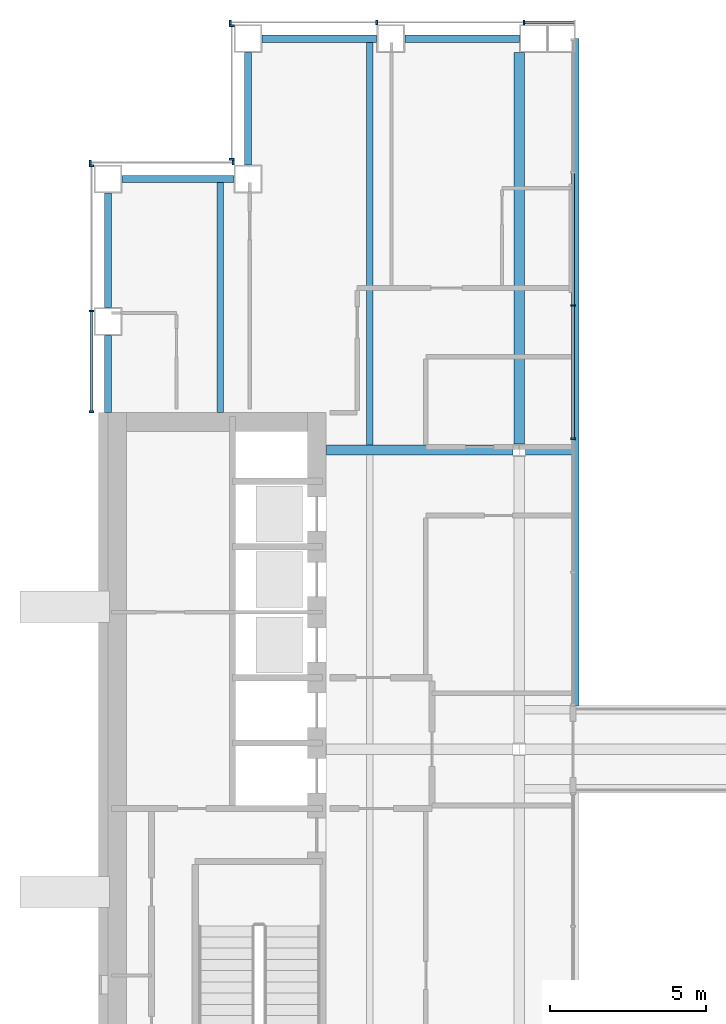
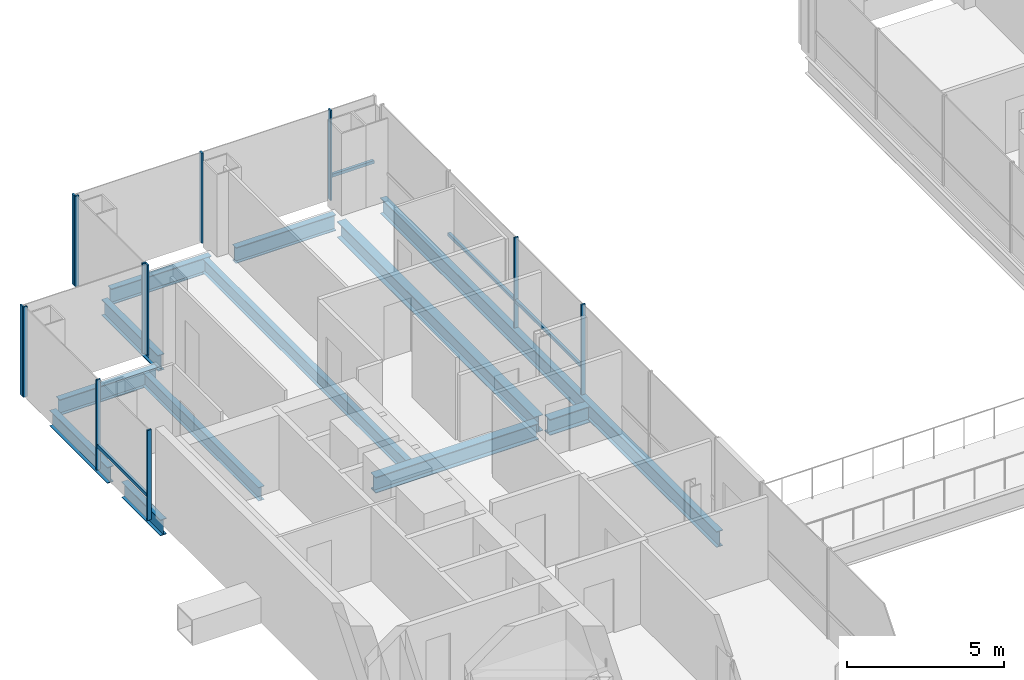
# One storey, part 7 of 17: 16 members, 12 beams, 5 elements without a shape of their own.
"""IFC4 building model written with IfcOpenShell, lengths in metres."""

from ifc_helpers import new_model, si_unit, direction, frame, origin, origin_2d, place, context, subcontext, project, spatial, rectangle, i_section, extrude, material, material_profile, profile_set, type_object, element, aggregate, save


model = new_model("IFC4")

# Units and contexts
model_context = context("Model", 3, precision=1e-05, world=origin(), true_north=direction((0.0, 1.0)))
body_context = subcontext(model_context, "Body", "Model", "MODEL_VIEW")
ifc_project = project(units=[si_unit("LENGTHUNIT", "METRE"), si_unit("AREAUNIT", "SQUARE_METRE"), si_unit("VOLUMEUNIT", "CUBIC_METRE"), si_unit("PLANEANGLEUNIT", "RADIAN"), si_unit("MASSUNIT", "GRAM", prefix="KILO")], contexts=[model_context])

# Site, building, storey
site_placement = place(None, origin())
site = spatial("IfcSite", under=ifc_project, at=site_placement, CompositionType="ELEMENT")
building_placement = place(site_placement, origin())
building = spatial("IfcBuilding", under=site, at=building_placement, Name="Cobrizo Arcos Hotel Tower", CompositionType="ELEMENT")
storey_placement = place(building_placement, frame((0.0, 0.0, 134.5)))
storey = spatial("IfcBuildingStorey", under=building, at=storey_placement, Name="L34", CompositionType="ELEMENT", Elevation=134.5)

# Curtain wall, members
ifc_material_1 = material(Name="Aluminium 6063-T6 anodised bronze", Category="aluminium")
curtain_wall_type_1 = type_object("IfcCurtainWallType", Name="CW-A guest facade", PredefinedType="NOTDEFINED", material=ifc_material_1)
curtain_wall_1_placement = place(storey_placement, origin())
curtain_wall_1 = element("IfcCurtainWall", 1, at=curtain_wall_1_placement, inside=storey, type_object=curtain_wall_type_1, Name="CW-A L34 N face", PredefinedType="NOTDEFINED")
ifc_material_profile_1 = material_profile(ifc_material_1, rectangle(XDim=0.14990234375, YDim=0.06005859375, at=origin_2d()), Name="CW-A mullion 150x60")
ifc_profile_set_1 = profile_set([ifc_material_profile_1], Name="Aluminium 6063-T6 anodised bronze")
member_type_1 = type_object("IfcMemberType", Name="CW-A mullion 150x60", PredefinedType="MULLION", material=ifc_profile_set_1)
member_1_placement = place(storey_placement, frame((-9.449951171875, 23.324951171875, 0.0), z_axis=(0.0, 0.0, 1.0), x_axis=(0.0, 1.0, 0.0)))
member_1 = element("IfcMember", 2, at=member_1_placement, type_object=member_type_1, Name="CW-A mullion 2", PredefinedType="MULLION", context=body_context, shape_type="SweptSolid", body=[
    extrude(rectangle(XDim=0.14990234375, YDim=0.06005859375, at=origin_2d()), origin(), (0.0, 0.0, 1.0), 3.5),
])
member_2_placement = place(storey_placement, frame((-14.175048828125, 23.324951171875, 0.0), z_axis=(0.0, 0.0, 1.0), x_axis=(0.0, 1.0, 0.0)))
member_2 = element("IfcMember", 3, at=member_2_placement, type_object=member_type_1, Name="CW-A mullion 3", PredefinedType="MULLION", context=body_context, shape_type="SweptSolid", body=[
    extrude(rectangle(XDim=0.14990234375, YDim=0.06005859375, at=origin_2d()), origin(), (0.0, 0.0, 1.0), 3.5),
])
member_3_placement = place(storey_placement, frame((-18.8701171875, 23.324951171875, 0.0), z_axis=(0.0, 0.0, 1.0), x_axis=(0.0, 1.0, 0.0)))
member_3 = element("IfcMember", 4, at=member_3_placement, type_object=member_type_1, Name="CW-A mullion 4", PredefinedType="MULLION", context=body_context, shape_type="SweptSolid", body=[
    extrude(rectangle(XDim=0.14990234375, YDim=0.06005859375, at=origin_2d()), origin(), (0.0, 0.0, 1.0), 3.5),
])

curtain_wall_2_placement = place(storey_placement, origin())
curtain_wall_2 = element("IfcCurtainWall", 5, at=curtain_wall_2_placement, inside=storey, type_object=curtain_wall_type_1, Name="CW-A L34 W face", PredefinedType="NOTDEFINED")
member_4_placement = place(storey_placement, frame((-18.824951171875, 23.219970703125, 0.0), z_axis=(0.0, 0.0, 1.0), x_axis=(-1.0, 0.0, 0.0)))
member_4 = element("IfcMember", 6, at=member_4_placement, type_object=member_type_1, Name="CW-A mullion 1", PredefinedType="MULLION", context=body_context, shape_type="SweptSolid", body=[
    extrude(rectangle(XDim=0.14990234375, YDim=0.06005859375, at=origin_2d()), origin(), (0.0, 0.0, 1.0), 3.5),
])
member_5_placement = place(storey_placement, frame((-18.824951171875, 18.929931640625, 0.0), z_axis=(0.0, 0.0, 1.0), x_axis=(-1.0, 0.0, 0.0)))
member_5 = element("IfcMember", 7, at=member_5_placement, type_object=member_type_1, Name="CW-A mullion 2", PredefinedType="MULLION", context=body_context, shape_type="SweptSolid", body=[
    extrude(rectangle(XDim=0.14990234375, YDim=0.06005859375, at=origin_2d()), origin(), (0.0, 0.0, 1.0), 3.5),
])
aggregate(curtain_wall_2, [member_4, member_5])

curtain_wall_3_placement = place(storey_placement, origin())
curtain_wall_3 = element("IfcCurtainWall", 8, at=curtain_wall_3_placement, inside=storey, type_object=curtain_wall_type_1, Name="CW-A L34 N face", PredefinedType="NOTDEFINED")
member_6_placement = place(storey_placement, frame((-18.780029296875, 18.824951171875, 0.0), z_axis=(0.0, 0.0, 1.0), x_axis=(0.0, 1.0, 0.0)))
member_6 = element("IfcMember", 9, at=member_6_placement, type_object=member_type_1, Name="CW-A mullion 1", PredefinedType="MULLION", context=body_context, shape_type="SweptSolid", body=[
    extrude(rectangle(XDim=0.14990234375, YDim=0.06005859375, at=origin_2d()), origin(), (0.0, 0.0, 1.0), 3.5),
])
member_7_placement = place(storey_placement, frame((-23.3701171875, 18.824951171875, 0.0), z_axis=(0.0, 0.0, 1.0), x_axis=(0.0, 1.0, 0.0)))
member_7 = element("IfcMember", 10, at=member_7_placement, type_object=member_type_1, Name="CW-A mullion 2", PredefinedType="MULLION", context=body_context, shape_type="SweptSolid", body=[
    extrude(rectangle(XDim=0.14990234375, YDim=0.06005859375, at=origin_2d()), origin(), (0.0, 0.0, 1.0), 3.5),
])
aggregate(curtain_wall_3, [member_6, member_7])

curtain_wall_4_placement = place(storey_placement, origin())
curtain_wall_4 = element("IfcCurtainWall", 11, at=curtain_wall_4_placement, inside=storey, type_object=curtain_wall_type_1, Name="CW-A L34 W face", PredefinedType="NOTDEFINED")
member_8_placement = place(storey_placement, frame((-23.324951171875, 18.719970703125, 0.0), z_axis=(0.0, 0.0, 1.0), x_axis=(-1.0, 0.0, 0.0)))
member_8 = element("IfcMember", 12, at=member_8_placement, type_object=member_type_1, Name="CW-A mullion 1", PredefinedType="MULLION", context=body_context, shape_type="SweptSolid", body=[
    extrude(rectangle(XDim=0.14990234375, YDim=0.06005859375, at=origin_2d()), origin(), (0.0, 0.0, 1.0), 3.5),
])
member_9_placement = place(storey_placement, frame((-23.324951171875, 14.0625, 0.0), z_axis=(0.0, 0.0, 1.0), x_axis=(-1.0, 0.0, 0.0)))
member_9 = element("IfcMember", 13, at=member_9_placement, type_object=member_type_1, Name="CW-A mullion 2", PredefinedType="MULLION", context=body_context, shape_type="SweptSolid", body=[
    extrude(rectangle(XDim=0.14990234375, YDim=0.06005859375, at=origin_2d()), origin(), (0.0, 0.0, 1.0), 3.5),
])
member_10_placement = place(storey_placement, frame((-23.324951171875, 10.830078125, 0.0), z_axis=(0.0, 0.0, 1.0), x_axis=(-1.0, 0.0, 0.0)))
member_10 = element("IfcMember", 14, at=member_10_placement, type_object=member_type_1, Name="CW-A mullion 3", PredefinedType="MULLION", context=body_context, shape_type="SweptSolid", body=[
    extrude(rectangle(XDim=0.14990234375, YDim=0.06005859375, at=origin_2d()), origin(), (0.0, 0.0, 1.0), 3.5),
])

# Member
ifc_material_profile_2 = material_profile(ifc_material_1, rectangle(XDim=0.10009765625, YDim=0.1201171875, at=origin_2d()), Name="CW-A transom 120x100")
ifc_profile_set_2 = profile_set([ifc_material_profile_2], Name="Aluminium 6063-T6 anodised bronze")
member_type_2 = type_object("IfcMemberType", Name="CW-A transom 120x100", PredefinedType="USERDEFINED", material=ifc_profile_set_2)
member_11_placement = place(storey_placement, frame((-7.860107421875, 23.324951171875, 0.929931640625), z_axis=(-1.0, 0.0, 0.0), x_axis=(0.0, -1.0, 0.0)))
member_11 = element("IfcMember", 15, at=member_11_placement, type_object=member_type_2, Name="CW-A transom 1264", ObjectType="TRANSOM", PredefinedType="USERDEFINED", context=body_context, shape_type="SweptSolid", body=[
    extrude(rectangle(XDim=0.10009765625, YDim=0.1201171875, at=origin_2d()), origin(), (0.0, 0.0, 1.0), 1.559814453125),
])

aggregate(curtain_wall_1, [member_1, member_2, member_3, member_11])

member_12_placement = place(storey_placement, frame((-23.324951171875, 14.032470703125, 0.929931640625), z_axis=(0.0, -1.0, 0.0), x_axis=(1.0, 0.0, 0.0)))
member_12 = element("IfcMember", 16, at=member_12_placement, type_object=member_type_2, Name="CW-A transom 1270", ObjectType="TRANSOM", PredefinedType="USERDEFINED", context=body_context, shape_type="SweptSolid", body=[
    extrude(rectangle(XDim=0.10009765625, YDim=0.1201171875, at=origin_2d()), origin(), (0.0, 0.0, 1.0), 3.17236328125),
])

aggregate(curtain_wall_4, [member_8, member_9, member_10, member_12])

# Curtain wall, members
curtain_wall_type_2 = type_object("IfcCurtainWallType", Name="CW-F void screen", PredefinedType="NOTDEFINED", material=ifc_material_1)
curtain_wall_5_placement = place(storey_placement, origin())
curtain_wall_5 = element("IfcCurtainWall", 17, at=curtain_wall_5_placement, inside=storey, type_object=curtain_wall_type_2, Name="CW-F L34 void screen B", PredefinedType="NOTDEFINED")
ifc_material_profile_3 = material_profile(ifc_material_1, rectangle(XDim=0.14990234375, YDim=0.06005859375, at=origin_2d()), Name="CW-F mullion 150x60")
ifc_profile_set_3 = profile_set([ifc_material_profile_3], Name="Aluminium 6063-T6 anodised bronze")
member_type_3 = type_object("IfcMemberType", Name="CW-F mullion 150x60", PredefinedType="MULLION", material=ifc_profile_set_3)
member_13_placement = place(storey_placement, frame((-7.875, 14.239990234375, 0.0), z_axis=(0.0, 0.0, 1.0), x_axis=(-1.0, 0.0, 0.0)))
member_13 = element("IfcMember", 18, at=member_13_placement, type_object=member_type_3, Name="CW-F mullion 3", PredefinedType="MULLION", context=body_context, shape_type="SweptSolid", body=[
    extrude(rectangle(XDim=0.14990234375, YDim=0.06005859375, at=origin_2d()), origin(), (0.0, 0.0, 1.0), 3.5),
])
member_14_placement = place(storey_placement, frame((-7.875, 9.9599609375, 0.0), z_axis=(0.0, 0.0, 1.0), x_axis=(-1.0, 0.0, 0.0)))
member_14 = element("IfcMember", 19, at=member_14_placement, type_object=member_type_3, Name="CW-F mullion 4", PredefinedType="MULLION", context=body_context, shape_type="SweptSolid", body=[
    extrude(rectangle(XDim=0.14990234375, YDim=0.06005859375, at=origin_2d()), origin(), (0.0, 0.0, 1.0), 3.5),
])
ifc_material_profile_4 = material_profile(ifc_material_1, rectangle(XDim=0.10009765625, YDim=0.1201171875, at=origin_2d()), Name="CW-F transom 120x100")
ifc_profile_set_4 = profile_set([ifc_material_profile_4], Name="Aluminium 6063-T6 anodised bronze")
member_type_4 = type_object("IfcMemberType", Name="CW-F transom 120x100", PredefinedType="USERDEFINED", material=ifc_profile_set_4)
member_15_placement = place(storey_placement, frame((-7.875, 18.489990234375, 1.050048828125), z_axis=(0.0, -1.0, 0.0), x_axis=(1.0, 0.0, 0.0)))
member_15 = element("IfcMember", 20, at=member_15_placement, type_object=member_type_4, Name="CW-F transom 2677", ObjectType="TRANSOM", PredefinedType="USERDEFINED", context=body_context, shape_type="SweptSolid", body=[
    extrude(rectangle(XDim=0.10009765625, YDim=0.1201171875, at=origin_2d()), origin(), (0.0, 0.0, 1.0), 4.219970703125),
])
member_16_placement = place(storey_placement, frame((-7.875, 14.2099609375, 1.050048828125), z_axis=(0.0, -1.0, 0.0), x_axis=(1.0, 0.0, 0.0)))
member_16 = element("IfcMember", 21, at=member_16_placement, type_object=member_type_4, Name="CW-F transom 2678", ObjectType="TRANSOM", PredefinedType="USERDEFINED", context=body_context, shape_type="SweptSolid", body=[
    extrude(rectangle(XDim=0.10009765625, YDim=0.1201171875, at=origin_2d()), origin(), (0.0, 0.0, 1.0), 4.219970703125),
])
aggregate(curtain_wall_5, [member_13, member_14, member_15, member_16])

# Beams
ifc_material_2 = material(Name="Steel ASTM A992 Grade 50", Category="steel")
ifc_material_profile_5 = material_profile(ifc_material_2, i_section(OverallWidth=0.209228515625, OverallDepth=0.533447265625, WebThickness=0.01025390625, FlangeThickness=0.015625, at=origin_2d()), Name="W21X62")
ifc_profile_set_5 = profile_set([ifc_material_profile_5], Name="Steel ASTM A992 Grade 50")
beam_type_1 = type_object("IfcBeamType", Name="W21X62 joist", PredefinedType="JOIST", material=ifc_profile_set_5)
beam_1_placement = place(storey_placement, frame((-19.199951171875, 10.81005859375, -0.416748046875), z_axis=(0.0, 1.0, 0.0), x_axis=(-1.0, 0.0, 0.0)))
element("IfcBeam", 22, at=beam_1_placement, inside=storey, type_object=beam_type_1, Name="Floor joist J1, L34, no. 002", PredefinedType="JOIST", context=body_context, shape_type="SweptSolid", body=[
    extrude(i_section(OverallWidth=0.209228515625, OverallDepth=0.533447265625, WebThickness=0.01025390625, FlangeThickness=0.015625, at=origin_2d()), origin(), (0.0, 0.0, 1.0), 7.39990234375),
])
beam_2_placement = place(storey_placement, frame((-14.39990234375, 9.763916015625, -0.416748046875), z_axis=(0.0, 1.0, 0.0), x_axis=(-1.0, 0.0, 0.0)))
element("IfcBeam", 23, at=beam_2_placement, inside=storey, type_object=beam_type_1, Name="Floor joist J1, L34, no. 006", PredefinedType="JOIST", context=body_context, shape_type="SweptSolid", body=[
    extrude(i_section(OverallWidth=0.209228515625, OverallDepth=0.533447265625, WebThickness=0.01025390625, FlangeThickness=0.015625, at=origin_2d()), origin(), (0.0, 0.0, 1.0), 12.946044921875),
])
ifc_material_profile_6 = material_profile(ifc_material_2, i_section(OverallWidth=0.32763671875, OverallDepth=0.622314453125, WebThickness=0.015380859375, FlangeThickness=0.0244140625, at=origin_2d()), Name="W24X131")
ifc_profile_set_6 = profile_set([ifc_material_profile_6], Name="Steel ASTM A992 Grade 50")
beam_type_2 = type_object("IfcBeamType", Name="W24X131 girder", PredefinedType="BEAM", material=ifc_profile_set_6)
beam_3_placement = place(storey_placement, frame((-15.7900390625, 9.60009765625, -0.461181640625), z_axis=(1.0, 0.0, 0.0), x_axis=(0.0, 1.0, 0.0)))
element("IfcBeam", 24, at=beam_3_placement, inside=storey, type_object=beam_type_2, Name="Floor girder G1, L34, no. 008", PredefinedType="BEAM", context=body_context, shape_type="SweptSolid", body=[
    extrude(i_section(OverallWidth=0.32763671875, OverallDepth=0.622314453125, WebThickness=0.015380859375, FlangeThickness=0.0244140625, at=origin_2d()), origin(), (0.0, 0.0, 1.0), 5.99072265625),
])
beam_4_placement = place(storey_placement, frame((-9.400634765625, 9.60009765625, -0.461181640625), z_axis=(1.0, 0.0, 0.0), x_axis=(0.0, 1.0, 0.0)))
element("IfcBeam", 25, at=beam_4_placement, inside=storey, type_object=beam_type_2, Name="Floor girder G1, L34, no. 009", PredefinedType="BEAM", context=body_context, shape_type="SweptSolid", body=[
    extrude(i_section(OverallWidth=0.32763671875, OverallDepth=0.622314453125, WebThickness=0.015380859375, FlangeThickness=0.0244140625, at=origin_2d()), origin(), (0.0, 0.0, 1.0), 1.5107421875),
])
beam_5_placement = place(storey_placement, frame((-9.60009765625, 9.79931640625, -0.461181640625), z_axis=(0.0, 1.0, 0.0), x_axis=(-1.0, 0.0, 0.0)))
element("IfcBeam", 26, at=beam_5_placement, inside=storey, type_object=beam_type_2, Name="Floor girder G1, L34, no. 015", PredefinedType="BEAM", context=body_context, shape_type="SweptSolid", body=[
    extrude(i_section(OverallWidth=0.32763671875, OverallDepth=0.622314453125, WebThickness=0.015380859375, FlangeThickness=0.0244140625, at=origin_2d()), origin(), (0.0, 0.0, 1.0), 12.55078125),
])
ifc_material_profile_7 = material_profile(ifc_material_2, i_section(OverallWidth=0.23046875, OverallDepth=0.6171875, WebThickness=0.01318359375, FlangeThickness=0.022216796875, at=origin_2d()), Name="W24X94")
ifc_profile_set_7 = profile_set([ifc_material_profile_7], Name="Steel ASTM A992 Grade 50")
beam_type_3 = type_object("IfcBeamType", Name="W24X94 spandrel", PredefinedType="SPANDREL", material=ifc_profile_set_7)
beam_6_placement = place(storey_placement, frame((-22.800048828125, 10.81005859375, -0.45849609375), z_axis=(0.0, 1.0, 0.0), x_axis=(-1.0, 0.0, 0.0)))
element("IfcBeam", 27, at=beam_6_placement, inside=storey, type_object=beam_type_3, Name="Spandrel beam W24X94, L34, no. 018", PredefinedType="SPANDREL", context=body_context, shape_type="SweptSolid", body=[
    extrude(i_section(OverallWidth=0.23046875, OverallDepth=0.6171875, WebThickness=0.01318359375, FlangeThickness=0.022216796875, at=origin_2d()), origin(), (0.0, 0.0, 1.0), 2.46484375),
])
beam_7_placement = place(storey_placement, frame((-22.800048828125, 14.175048828125, -0.45849609375), z_axis=(0.0, 1.0, 0.0), x_axis=(-1.0, 0.0, 0.0)))
element("IfcBeam", 28, at=beam_7_placement, inside=storey, type_object=beam_type_3, Name="Spandrel beam W24X94, L34, no. 019", PredefinedType="SPANDREL", context=body_context, shape_type="SweptSolid", body=[
    extrude(i_section(OverallWidth=0.23046875, OverallDepth=0.6171875, WebThickness=0.01318359375, FlangeThickness=0.022216796875, at=origin_2d()), origin(), (0.0, 0.0, 1.0), 3.675048828125),
])
for number, where, z_axis, x_axis, name in (
    (29, (-22.35009765625, 18.300048828125, -0.45849609375), (1.0, 0.0, 0.0), (0.0, 1.0, 0.0), "Spandrel beam W24X94, L34, no. 020"),
    (30, (-18.300048828125, 18.75, -0.45849609375), (0.0, 1.0, 0.0), (-1.0, 0.0, 0.0), "Spandrel beam W24X94, L34, no. 021"),
):
    element("IfcBeam", number, at=place(storey_placement, frame(where, z_axis=z_axis, x_axis=x_axis)), inside=storey, type_object=beam_type_3, Name=name, PredefinedType="SPANDREL", context=body_context, shape_type="SweptSolid", body=[
        extrude(i_section(OverallWidth=0.23046875, OverallDepth=0.6171875, WebThickness=0.01318359375, FlangeThickness=0.022216796875, at=origin_2d()), origin(), (0.0, 0.0, 1.0), 3.60009765625),
    ])
beam_8_placement = place(storey_placement, frame((-17.85009765625, 22.800048828125, -0.45849609375), z_axis=(1.0, 0.0, 0.0), x_axis=(0.0, 1.0, 0.0)))
element("IfcBeam", 31, at=beam_8_placement, inside=storey, type_object=beam_type_3, Name="Spandrel beam W24X94, L34, no. 022", PredefinedType="SPANDREL", context=body_context, shape_type="SweptSolid", body=[
    extrude(i_section(OverallWidth=0.23046875, OverallDepth=0.6171875, WebThickness=0.01318359375, FlangeThickness=0.022216796875, at=origin_2d()), origin(), (0.0, 0.0, 1.0), 3.675048828125),
])
beam_9_placement = place(storey_placement, frame((-13.27490234375, 22.800048828125, -0.45849609375), z_axis=(1.0, 0.0, 0.0), x_axis=(0.0, 1.0, 0.0)))
element("IfcBeam", 32, at=beam_9_placement, inside=storey, type_object=beam_type_3, Name="Spandrel beam W24X94, L34, no. 023", PredefinedType="SPANDREL", context=body_context, shape_type="SweptSolid", body=[
    extrude(i_section(OverallWidth=0.23046875, OverallDepth=0.6171875, WebThickness=0.01318359375, FlangeThickness=0.022216796875, at=origin_2d()), origin(), (0.0, 0.0, 1.0), 3.6748046875),
])
beam_10_placement = place(storey_placement, frame((-7.800048828125, 22.800048828125, -0.45849609375), z_axis=(0.0, -1.0, 0.0), x_axis=(1.0, 0.0, 0.0)))
element("IfcBeam", 33, at=beam_10_placement, inside=storey, type_object=beam_type_3, Name="Spandrel beam W24X94, L34, no. 024", PredefinedType="SPANDREL", context=body_context, shape_type="SweptSolid", body=[
    extrude(i_section(OverallWidth=0.23046875, OverallDepth=0.6171875, WebThickness=0.01318359375, FlangeThickness=0.022216796875, at=origin_2d()), origin(), (0.0, 0.0, 1.0), 21.400146484375),
])

save(model, "model.ifc")
